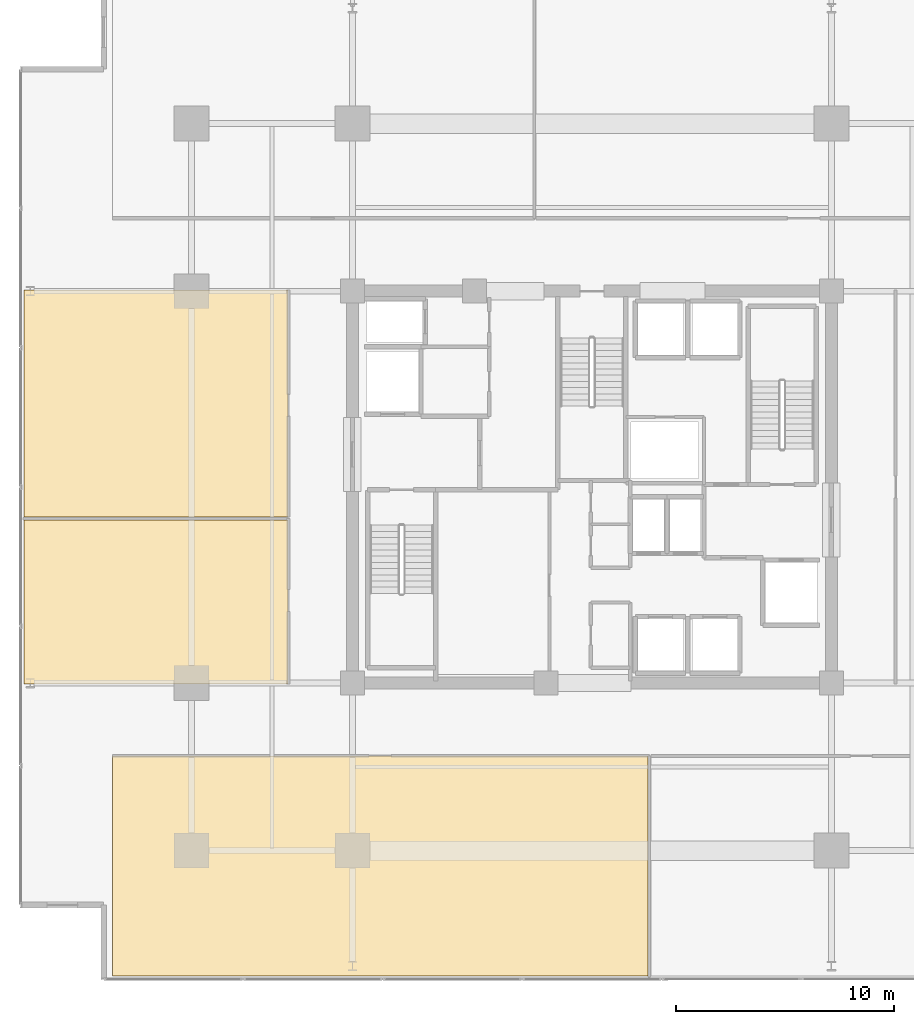
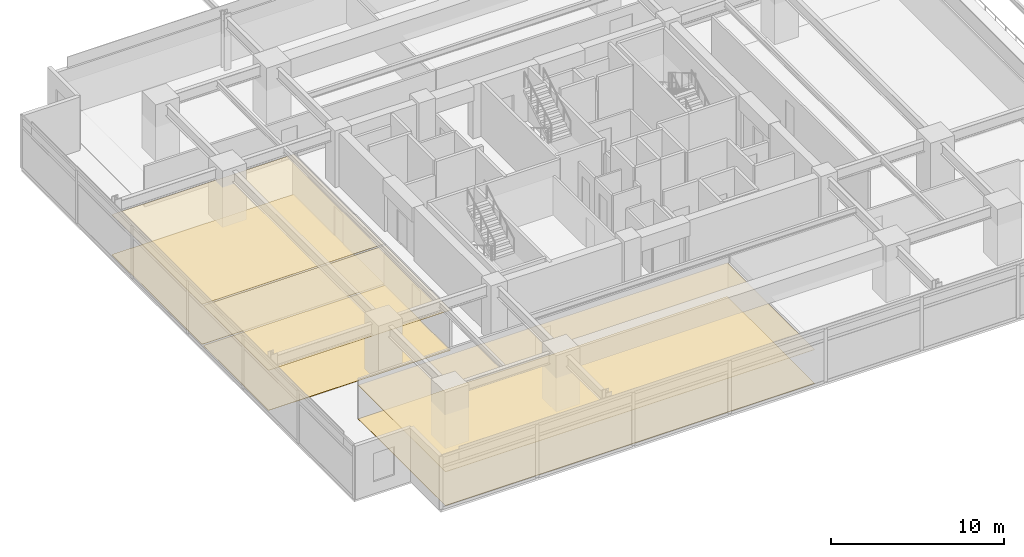
# One storey, part 16 of 20: 6 coverings.
"""IFC4 building model written with IfcOpenShell, lengths in metres."""

from ifc_helpers import new_model, si_unit, direction, frame, origin, place, context, subcontext, project, spatial, polyline, outline, extrude, material, layer, layer_set, type_object, element, save


model = new_model("IFC4")

# Units and contexts
model_context = context("Model", 3, precision=1e-05, world=origin(), true_north=direction((0.0, 1.0)))
body_context = subcontext(model_context, "Body", "Model", "MODEL_VIEW")
ifc_project = project(units=[si_unit("LENGTHUNIT", "METRE"), si_unit("AREAUNIT", "SQUARE_METRE"), si_unit("VOLUMEUNIT", "CUBIC_METRE"), si_unit("PLANEANGLEUNIT", "RADIAN"), si_unit("MASSUNIT", "GRAM", prefix="KILO")], contexts=[model_context])

# Site, building, storey
site_placement = place(None, origin())
site = spatial("IfcSite", under=ifc_project, at=site_placement, CompositionType="ELEMENT")
building_placement = place(site_placement, origin())
building = spatial("IfcBuilding", under=site, at=building_placement, Name="Kovane Verandah Tower", CompositionType="ELEMENT")
storey_placement = place(building_placement, frame((0.0, 0.0, 128.39990234375)))
storey = spatial("IfcBuildingStorey", under=building, at=storey_placement, Name="L29", CompositionType="ELEMENT", Elevation=128.39990234375)

# Coverings
ifc_material_1 = material(Name="Perforated Acoustic Mineral-Fibre Ceiling Tile", Category="gypsum")
ifc_layer_1 = layer(ifc_material_1, 0.02490234375)
ifc_layer_set_1 = layer_set([ifc_layer_1], Name="Perforated Acoustic Mineral-Fibre Ceiling Tile")
covering_type_1 = type_object("IfcCoveringType", Name="CV-CEIL-25", PredefinedType="CEILING", material=ifc_layer_set_1)
covering_1_placement = place(storey_placement, frame((0.0, 0.0, 2.380126953125)))
element("IfcCovering", 1, at=covering_1_placement, inside=storey, type_object=covering_type_1, Name="L29 Meeting Room S1 Acoustic Ceiling", PredefinedType="CEILING", context=body_context, shape_type="SweptSolid", body=[
    extrude(outline(polyline([(17.97119140625, 5.0498046875), (42.573486328125, 5.0498046875), (42.573486328125, 15.14990234375), (17.97119140625, 15.14990234375), (17.97119140625, 5.0498046875)])), origin(), (0.0, 0.0, 1.0), 0.02490234375),
])
covering_2_placement = place(storey_placement, frame((0.0, 0.0, 2.8251953125)))
element("IfcCovering", 2, at=covering_2_placement, inside=storey, type_object=covering_type_1, Name="L29 Breakout Pantry W1 Acoustic Ceiling", PredefinedType="CEILING", context=body_context, shape_type="SweptSolid", body=[
    extrude(outline(polyline([(13.92138671875, 18.449951171875), (26.050048828125, 18.449951171875), (26.050048828125, 25.98193359375), (13.92138671875, 25.98193359375), (13.92138671875, 18.449951171875)])), origin(), (0.0, 0.0, 1.0), 0.02490234375),
])
covering_3_placement = place(storey_placement, frame((0.0, 0.0, 2.8251953125)))
element("IfcCovering", 3, at=covering_3_placement, inside=storey, type_object=covering_type_1, Name="L29 Collaboration Hub W2 Acoustic Ceiling", PredefinedType="CEILING", context=body_context, shape_type="SweptSolid", body=[
    extrude(outline(polyline([(13.92138671875, 26.1220703125), (26.050048828125, 26.1220703125), (26.050048828125, 36.550048828125), (13.92138671875, 36.550048828125), (13.92138671875, 26.1220703125)])), origin(), (0.0, 0.0, 1.0), 0.02490234375),
])
ifc_material_2 = material(Name="Polished Terrazzo and Raised-Access Carpet Tile Finish", Category="concrete")
ifc_layer_2 = layer(ifc_material_2, 0.030029296875)
ifc_layer_set_2 = layer_set([ifc_layer_2], Name="Polished Terrazzo and Raised-Access Carpet Tile Finish")
covering_type_2 = type_object("IfcCoveringType", Name="CV-FLOR-30", PredefinedType="FLOORING", material=ifc_layer_set_2)
covering_4_placement = place(storey_placement, origin())
element("IfcCovering", 4, at=covering_4_placement, inside=storey, type_object=covering_type_2, Name="L29 Meeting Room S1 Floor Finish", PredefinedType="FLOORING", context=body_context, shape_type="SweptSolid", body=[
    extrude(outline(polyline([(17.97119140625, 5.0498046875), (42.573486328125, 5.0498046875), (42.573486328125, 15.14990234375), (17.97119140625, 15.14990234375), (17.97119140625, 5.0498046875)])), origin(), (0.0, 0.0, 1.0), 0.030029296875),
])
covering_5_placement = place(storey_placement, origin())
element("IfcCovering", 5, at=covering_5_placement, inside=storey, type_object=covering_type_2, Name="L29 Breakout Pantry W1 Floor Finish", PredefinedType="FLOORING", context=body_context, shape_type="SweptSolid", body=[
    extrude(outline(polyline([(13.92138671875, 18.449951171875), (26.050048828125, 18.449951171875), (26.050048828125, 25.98193359375), (13.92138671875, 25.98193359375), (13.92138671875, 18.449951171875)])), origin(), (0.0, 0.0, 1.0), 0.030029296875),
])
covering_6_placement = place(storey_placement, origin())
element("IfcCovering", 6, at=covering_6_placement, inside=storey, type_object=covering_type_2, Name="L29 Collaboration Hub W2 Floor Finish", PredefinedType="FLOORING", context=body_context, shape_type="SweptSolid", body=[
    extrude(outline(polyline([(13.92138671875, 26.1220703125), (26.050048828125, 26.1220703125), (26.050048828125, 36.550048828125), (13.92138671875, 36.550048828125), (13.92138671875, 26.1220703125)])), origin(), (0.0, 0.0, 1.0), 0.030029296875),
])

save(model, "model.ifc")
